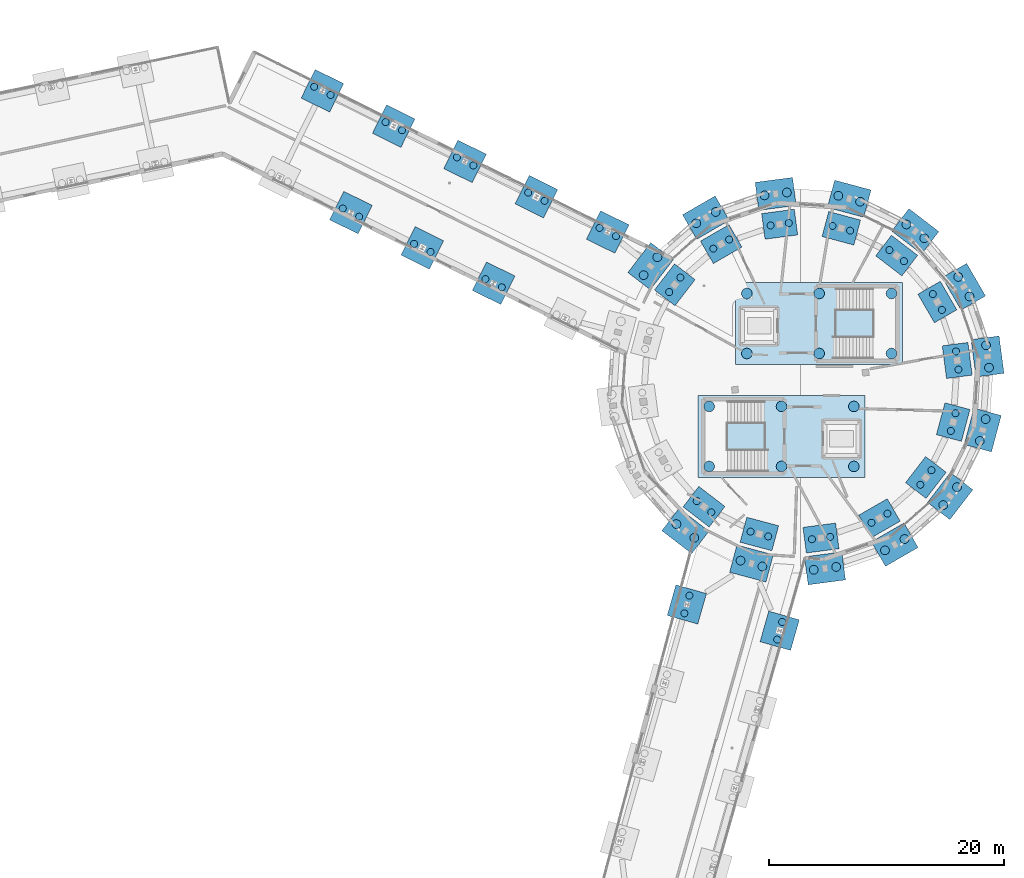
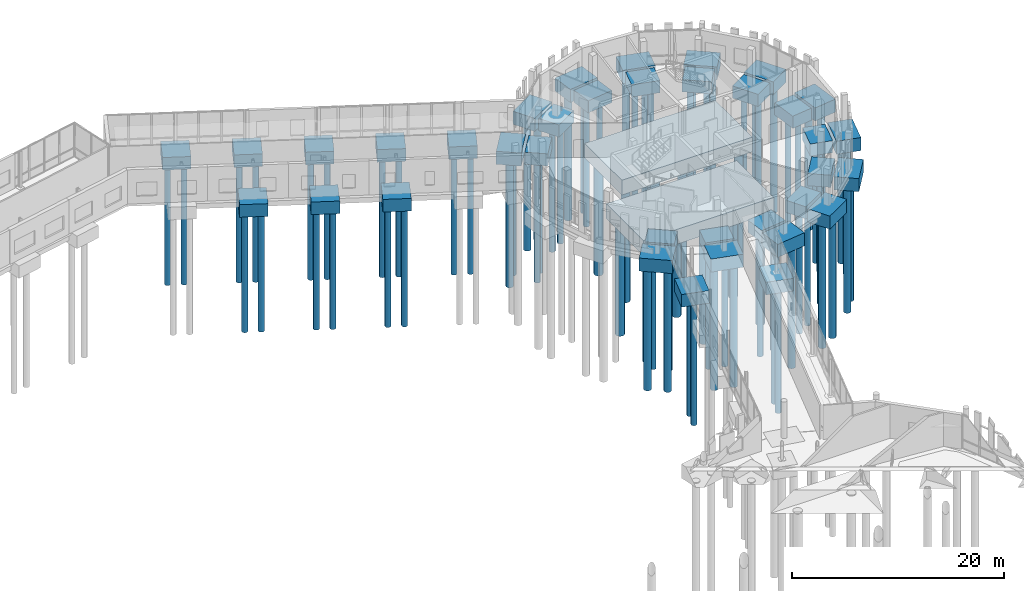
# One storey, part 4 of 113: 84 piles, 38 footings.
"""IFC4 building model written with IfcOpenShell, lengths in metres."""

from ifc_helpers import new_model, si_unit, direction, frame, origin, origin_2d, place, context, subcontext, project, spatial, rectangle, circle, extrude, material, material_profile, profile_set, type_object, element, save


model = new_model("IFC4")

# Units and contexts
model_context = context("Model", 3, precision=1e-05, world=origin(), true_north=direction((0.0, 1.0)))
body_context = subcontext(model_context, "Body", "Model", "MODEL_VIEW")
ifc_project = project(units=[si_unit("LENGTHUNIT", "METRE"), si_unit("AREAUNIT", "SQUARE_METRE"), si_unit("VOLUMEUNIT", "CUBIC_METRE"), si_unit("PLANEANGLEUNIT", "RADIAN"), si_unit("MASSUNIT", "GRAM", prefix="KILO")], contexts=[model_context])

# Site, building, storey
site_placement = place(None, origin())
site = spatial("IfcSite", under=ifc_project, at=site_placement, CompositionType="ELEMENT")
building_placement = place(site_placement, origin())
building = spatial("IfcBuilding", under=site, at=building_placement, Name="Wrenclough Park School", CompositionType="ELEMENT")
storey_placement = place(building_placement, origin())
storey = spatial("IfcBuildingStorey", under=building, at=storey_placement, Name="L00", CompositionType="ELEMENT", Elevation=0.0)

# Footings
ifc_material_1 = material(Name="Concrete C35/45", Category="concrete")
footing_type_1 = type_object("IfcFootingType", Name="STR-PC-03", PredefinedType="PILE_CAP", material=ifc_material_1)
for number, where, z_axis, x_axis, name in (
    (1, (164.85546875, 74.5185546875, -1.4501953125), (0.0, 0.0, 1.0), (0.272784025857, 0.962075296033, 0.0), "Column pile cap FTG-DRM-186"),
    (2, (172.744384765625, 72.281494140625, -1.4501953125), (0.0, 0.0, 1.0), (0.272784025857, 0.962075296033, 0.0), "Column pile cap FTG-DRM-187"),
    (3, (133.880859375, 118.1748046875, -1.4501953125), (0.0, 0.0, 1.0), (0.896254315973, -0.443540529265, 0.0), "Column pile cap FTG-DRM-194"),
    (4, (139.943359375, 115.1748046875, -1.4501953125), (0.0, 0.0, 1.0), (0.896254315973, -0.443540529265, 0.0), "Column pile cap FTG-DRM-196"),
    (5, (136.306640625, 107.8251953125, -1.4501953125), (0.0, 0.0, 1.0), (0.896254315973, -0.443540529265, 0.0), "Column pile cap FTG-DRM-197"),
    (6, (146.005859375, 112.1748046875, -1.4501953125), (0.0, 0.0, 1.0), (0.896254315973, -0.443540529265, 0.0), "Column pile cap FTG-DRM-198"),
    (7, (142.369140625, 104.8251953125, -1.4501953125), (0.0, 0.0, 1.0), (0.896254315973, -0.443540529265, 0.0), "Column pile cap FTG-DRM-199"),
    (8, (152.068359375, 109.1748046875, -1.4501953125), (0.0, 0.0, 1.0), (0.896254315973, -0.443540529265, 0.0), "Column pile cap FTG-DRM-200"),
    (9, (148.431640625, 101.8251953125, -1.4501953125), (0.0, 0.0, 1.0), (0.896254315973, -0.443540529265, 0.0), "Column pile cap FTG-DRM-201"),
    (10, (158.130859375, 106.1748046875, -1.4501953125), (0.0, 0.0, 1.0), (0.896254315973, -0.443540529265, 0.0), "Column pile cap FTG-DRM-202"),
):
    element("IfcFooting", number, at=place(storey_placement, frame(where, z_axis=z_axis, x_axis=x_axis)), inside=storey, type_object=footing_type_1, Name=name, PredefinedType="PILE_CAP", context=body_context, shape_type="SweptSolid", body=[
        extrude(rectangle(XDim=2.699951171875, YDim=2.699951171875, at=origin_2d()), origin(), (0.0, 0.0, 1.0), 1.449951171875),
    ])
footing_type_2 = type_object("IfcFootingType", Name="STR-PC-05", PredefinedType="PILE_CAP", material=ifc_material_1)
for number, where, z_axis, x_axis, name in (
    (11, (190.41259765625, 95.594970703125, -1.5), (0.0, 0.0, 1.0), (-0.13052619222, 0.991444861374, 0.0), "Column pile cap FTG-DRM-111"),
    (12, (188.399658203125, 101.52490234375, -1.5), (0.0, 0.0, 1.0), (-0.5, 0.866025403784, 0.0), "Column pile cap FTG-DRM-112"),
    (13, (184.2705078125, 106.2333984375, -1.5), (0.0, 0.0, 1.0), (-0.793353340291, 0.608761429009, 0.0), "Column pile cap FTG-DRM-113"),
    (14, (178.654052734375, 109.003173828125, -1.5), (0.0, 0.0, 1.0), (-0.965925826289, 0.258819045103, 0.0), "Column pile cap FTG-DRM-114"),
    (15, (172.405029296875, 109.41259765625, -1.5), (0.0, 0.0, 1.0), (-0.991444861374, -0.13052619222, 0.0), "Column pile cap FTG-DRM-115"),
    (16, (166.47509765625, 107.399658203125, -1.5), (0.0, 0.0, 1.0), (-0.866025403784, -0.5, 0.0), "Column pile cap FTG-DRM-116"),
    (17, (161.7666015625, 103.2705078125, -1.5), (0.0, 0.0, 1.0), (-0.608761429009, -0.793353340291, 0.0), "Column pile cap FTG-DRM-117"),
    (18, (164.7294921875, 80.7666015625, -1.5), (0.0, 0.0, 1.0), (0.793353340291, -0.608761429009, 0.0), "Column pile cap FTG-DRM-121"),
    (19, (170.345947265625, 77.996826171875, -1.5), (0.0, 0.0, 1.0), (0.965925826289, -0.258819045103, 0.0), "Column pile cap FTG-DRM-122"),
    (20, (176.594970703125, 77.58740234375, -1.5), (0.0, 0.0, 1.0), (0.991444861374, 0.13052619222, 0.0), "Column pile cap FTG-DRM-123"),
    (21, (182.52490234375, 79.600341796875, -1.5), (0.0, 0.0, 1.0), (0.866025403784, 0.5, 0.0), "Column pile cap FTG-DRM-124"),
    (22, (187.2333984375, 83.7294921875, -1.5), (0.0, 0.0, 1.0), (0.608761429009, 0.793353340291, 0.0), "Column pile cap FTG-DRM-125"),
    (23, (190.003173828125, 89.345947265625, -1.5), (0.0, 0.0, 1.0), (0.258819045103, 0.965925826289, 0.0), "Column pile cap FTG-DRM-126"),
):
    element("IfcFooting", number, at=place(storey_placement, frame(where, z_axis=z_axis, x_axis=x_axis)), inside=storey, type_object=footing_type_2, Name=name, PredefinedType="PILE_CAP", context=body_context, shape_type="SweptSolid", body=[
        extrude(rectangle(XDim=3.199951171875, YDim=2.39990234375, at=origin_2d()), origin(), (0.0, 0.0, 1.0), 1.5),
    ])
footing_type_3 = type_object("IfcFootingType", Name="STR-PC-09", PredefinedType="PILE_CAP", material=ifc_material_1)
for number, where, z_axis, x_axis, name in (
    (24, (187.8349609375, 95.255615234375, -1.39990234375), (0.0, 0.0, 1.0), (-0.13052619222, 0.991444861374, 0.0), "Column pile cap FTG-DRM-127"),
    (25, (186.14794921875, 100.22509765625, -1.39990234375), (0.0, 0.0, 1.0), (-0.5, 0.866025403784, 0.0), "Column pile cap FTG-DRM-128"),
    (26, (182.687744140625, 104.170654296875, -1.39990234375), (0.0, 0.0, 1.0), (-0.793353340291, 0.608761429009, 0.0), "Column pile cap FTG-DRM-129"),
    (27, (177.981201171875, 106.49169921875, -1.39990234375), (0.0, 0.0, 1.0), (-0.965925826289, 0.258819045103, 0.0), "Column pile cap FTG-DRM-130"),
    (28, (172.744384765625, 106.8349609375, -1.39990234375), (0.0, 0.0, 1.0), (-0.991444861374, -0.13052619222, 0.0), "Column pile cap FTG-DRM-131"),
    (29, (167.77490234375, 105.14794921875, -1.39990234375), (0.0, 0.0, 1.0), (-0.866025403784, -0.5, 0.0), "Column pile cap FTG-DRM-132"),
    (30, (163.829345703125, 101.687744140625, -1.39990234375), (0.0, 0.0, 1.0), (-0.608761429009, -0.793353340291, 0.0), "Column pile cap FTG-DRM-133"),
    (31, (166.312255859375, 82.829345703125, -1.39990234375), (0.0, 0.0, 1.0), (0.793353340291, -0.608761429009, 0.0), "Column pile cap FTG-DRM-137"),
    (32, (171.018798828125, 80.50830078125, -1.39990234375), (0.0, 0.0, 1.0), (0.965925826289, -0.258819045103, 0.0), "Column pile cap FTG-DRM-138"),
    (33, (176.255615234375, 80.1650390625, -1.39990234375), (0.0, 0.0, 1.0), (0.991444861374, 0.13052619222, 0.0), "Column pile cap FTG-DRM-139"),
    (34, (181.22509765625, 81.85205078125, -1.39990234375), (0.0, 0.0, 1.0), (0.866025403784, 0.5, 0.0), "Column pile cap FTG-DRM-140"),
    (35, (185.170654296875, 85.312255859375, -1.39990234375), (0.0, 0.0, 1.0), (0.608761429009, 0.793353340291, 0.0), "Column pile cap FTG-DRM-141"),
    (36, (187.49169921875, 90.018798828125, -1.39990234375), (0.0, 0.0, 1.0), (0.258819045103, 0.965925826289, 0.0), "Column pile cap FTG-DRM-142"),
):
    element("IfcFooting", number, at=place(storey_placement, frame(where, z_axis=z_axis, x_axis=x_axis)), inside=storey, type_object=footing_type_3, Name=name, PredefinedType="PILE_CAP", context=body_context, shape_type="SweptSolid", body=[
        extrude(rectangle(XDim=2.800048828125, YDim=2.199951171875, at=origin_2d()), origin(), (0.0, 0.0, 1.0), 1.39990234375),
    ])
ifc_material_2 = material(Name="Concrete C40/50", Category="concrete")
footing_type_4 = type_object("IfcFootingType", Name="STR-PC-CORE2", PredefinedType="PILE_CAP", material=ifc_material_2)
for number, where, z_axis, x_axis, name in (
    (37, (172.89990234375, 88.800048828125, -3.5), (0.0, 0.0, 1.0), (1.0, 0.0, 0.0), "Core C5 combined pile cap"),
    (38, (176.10009765625, 98.39990234375, -3.5), (0.0, 0.0, 1.0), (1.0, 0.0, 0.0), "Core C6 combined pile cap"),
):
    element("IfcFooting", number, at=place(storey_placement, frame(where, z_axis=z_axis, x_axis=x_axis)), inside=storey, type_object=footing_type_4, Name=name, PredefinedType="PILE_CAP", context=body_context, shape_type="SweptSolid", body=[
        extrude(rectangle(XDim=14.199951171875, YDim=7.0, at=origin_2d()), origin(), (0.0, 0.0, 1.0), 1.699951171875),
    ])

# Piles
ifc_material_profile_1 = material_profile(ifc_material_1, circle(Radius=0.300048828125, at=origin_2d()), Name="BORED PILE D600")
ifc_profile_set_1 = profile_set([ifc_material_profile_1], Name="Concrete C35/45")
pile_type_1 = type_object("IfcPileType", Name="STR-PILE-600", PredefinedType="BORED", material=ifc_profile_set_1)
for number, where, z_axis, x_axis, name in (
    (39, (187.936767578125, 94.482421875, -1.300048828125), (0.0, 0.0, -1.0), (1.0, 0.0, 0.0), "Rotary bored pile FTG-DRM-127-1"),
    (40, (187.733154296875, 96.02880859375, -1.300048828125), (0.0, 0.0, -1.0), (1.0, 0.0, 0.0), "Rotary bored pile FTG-DRM-127-2"),
    (41, (186.5380859375, 99.549560546875, -1.300048828125), (0.0, 0.0, -1.0), (1.0, 0.0, 0.0), "Rotary bored pile FTG-DRM-128-1"),
    (42, (185.758056640625, 100.900390625, -1.300048828125), (0.0, 0.0, -1.0), (1.0, 0.0, 0.0), "Rotary bored pile FTG-DRM-128-2"),
    (43, (183.306640625, 103.69580078125, -1.300048828125), (0.0, 0.0, -1.0), (1.0, 0.0, 0.0), "Rotary bored pile FTG-DRM-129-1"),
    (44, (182.069091796875, 104.6455078125, -1.300048828125), (0.0, 0.0, -1.0), (1.0, 0.0, 0.0), "Rotary bored pile FTG-DRM-129-2"),
    (45, (178.734619140625, 106.289794921875, -1.300048828125), (0.0, 0.0, -1.0), (1.0, 0.0, 0.0), "Rotary bored pile FTG-DRM-130-1"),
    (46, (177.227783203125, 106.693603515625, -1.300048828125), (0.0, 0.0, -1.0), (1.0, 0.0, 0.0), "Rotary bored pile FTG-DRM-130-2"),
    (47, (173.517578125, 106.936767578125, -1.300048828125), (0.0, 0.0, -1.0), (1.0, 0.0, 0.0), "Rotary bored pile FTG-DRM-131-1"),
    (48, (171.97119140625, 106.733154296875, -1.300048828125), (0.0, 0.0, -1.0), (1.0, 0.0, 0.0), "Rotary bored pile FTG-DRM-131-2"),
    (49, (168.450439453125, 105.5380859375, -1.300048828125), (0.0, 0.0, -1.0), (1.0, 0.0, 0.0), "Rotary bored pile FTG-DRM-132-1"),
    (50, (167.099609375, 104.758056640625, -1.300048828125), (0.0, 0.0, -1.0), (1.0, 0.0, 0.0), "Rotary bored pile FTG-DRM-132-2"),
    (51, (164.30419921875, 102.306640625, -1.300048828125), (0.0, 0.0, -1.0), (1.0, 0.0, 0.0), "Rotary bored pile FTG-DRM-133-1"),
    (52, (163.3544921875, 101.069091796875, -1.300048828125), (0.0, 0.0, -1.0), (1.0, 0.0, 0.0), "Rotary bored pile FTG-DRM-133-2"),
    (53, (165.693359375, 83.30419921875, -1.300048828125), (0.0, 0.0, -1.0), (1.0, 0.0, 0.0), "Rotary bored pile FTG-DRM-137-1"),
    (54, (166.930908203125, 82.3544921875, -1.300048828125), (0.0, 0.0, -1.0), (1.0, 0.0, 0.0), "Rotary bored pile FTG-DRM-137-2"),
    (55, (170.265380859375, 80.710205078125, -1.300048828125), (0.0, 0.0, -1.0), (1.0, 0.0, 0.0), "Rotary bored pile FTG-DRM-138-1"),
    (56, (171.772216796875, 80.306396484375, -1.300048828125), (0.0, 0.0, -1.0), (1.0, 0.0, 0.0), "Rotary bored pile FTG-DRM-138-2"),
    (57, (175.482421875, 80.063232421875, -1.300048828125), (0.0, 0.0, -1.0), (1.0, 0.0, 0.0), "Rotary bored pile FTG-DRM-139-1"),
    (58, (177.02880859375, 80.266845703125, -1.300048828125), (0.0, 0.0, -1.0), (1.0, 0.0, 0.0), "Rotary bored pile FTG-DRM-139-2"),
    (59, (180.549560546875, 81.4619140625, -1.300048828125), (0.0, 0.0, -1.0), (1.0, 0.0, 0.0), "Rotary bored pile FTG-DRM-140-1"),
    (60, (181.900390625, 82.241943359375, -1.300048828125), (0.0, 0.0, -1.0), (1.0, 0.0, 0.0), "Rotary bored pile FTG-DRM-140-2"),
    (61, (184.69580078125, 84.693359375, -1.300048828125), (0.0, 0.0, -1.0), (1.0, 0.0, 0.0), "Rotary bored pile FTG-DRM-141-1"),
    (62, (185.6455078125, 85.930908203125, -1.300048828125), (0.0, 0.0, -1.0), (1.0, 0.0, 0.0), "Rotary bored pile FTG-DRM-141-2"),
    (63, (187.289794921875, 89.265380859375, -1.300048828125), (0.0, 0.0, -1.0), (1.0, 0.0, 0.0), "Rotary bored pile FTG-DRM-142-1"),
    (64, (187.693603515625, 90.772216796875, -1.300048828125), (0.0, 0.0, -1.0), (1.0, 0.0, 0.0), "Rotary bored pile FTG-DRM-142-2"),
):
    element("IfcPile", number, at=place(storey_placement, frame(where, z_axis=z_axis, x_axis=x_axis)), inside=storey, type_object=pile_type_1, Name=name, PredefinedType="BORED", context=body_context, shape_type="SweptSolid", body=[
        extrude(circle(Radius=0.300048828125, at=origin_2d()), origin(), (0.0, 0.0, 1.0), 13.89990234375),
    ])
for number, where, z_axis, x_axis, name in (
    (65, (164.642578125, 73.768310546875, -1.35009765625), (0.0, 0.0, -1.0), (1.0, 0.0, 0.0), "Rotary bored pile FTG-DRM-186-1"),
    (66, (165.068359375, 75.26904296875, -1.35009765625), (0.0, 0.0, -1.0), (1.0, 0.0, 0.0), "Rotary bored pile FTG-DRM-186-2"),
    (67, (172.53173828125, 71.531005859375, -1.35009765625), (0.0, 0.0, -1.0), (1.0, 0.0, 0.0), "Rotary bored pile FTG-DRM-187-1"),
    (68, (172.957275390625, 73.03173828125, -1.35009765625), (0.0, 0.0, -1.0), (1.0, 0.0, 0.0), "Rotary bored pile FTG-DRM-187-2"),
    (69, (133.181884765625, 118.520751953125, -1.35009765625), (0.0, 0.0, -1.0), (1.0, 0.0, 0.0), "Rotary bored pile FTG-DRM-194-1"),
    (70, (134.580078125, 117.82861328125, -1.35009765625), (0.0, 0.0, -1.0), (1.0, 0.0, 0.0), "Rotary bored pile FTG-DRM-194-2"),
    (71, (139.244384765625, 115.520751953125, -1.35009765625), (0.0, 0.0, -1.0), (1.0, 0.0, 0.0), "Rotary bored pile FTG-DRM-196-1"),
    (72, (140.642578125, 114.82861328125, -1.35009765625), (0.0, 0.0, -1.0), (1.0, 0.0, 0.0), "Rotary bored pile FTG-DRM-196-2"),
    (73, (135.607421875, 108.17138671875, -1.35009765625), (0.0, 0.0, -1.0), (1.0, 0.0, 0.0), "Rotary bored pile FTG-DRM-197-1"),
    (74, (137.005615234375, 107.479248046875, -1.35009765625), (0.0, 0.0, -1.0), (1.0, 0.0, 0.0), "Rotary bored pile FTG-DRM-197-2"),
    (75, (145.306884765625, 112.520751953125, -1.35009765625), (0.0, 0.0, -1.0), (1.0, 0.0, 0.0), "Rotary bored pile FTG-DRM-198-1"),
    (76, (146.705078125, 111.82861328125, -1.35009765625), (0.0, 0.0, -1.0), (1.0, 0.0, 0.0), "Rotary bored pile FTG-DRM-198-2"),
    (77, (141.669921875, 105.17138671875, -1.35009765625), (0.0, 0.0, -1.0), (1.0, 0.0, 0.0), "Rotary bored pile FTG-DRM-199-1"),
    (78, (143.068115234375, 104.479248046875, -1.35009765625), (0.0, 0.0, -1.0), (1.0, 0.0, 0.0), "Rotary bored pile FTG-DRM-199-2"),
    (79, (151.369384765625, 109.520751953125, -1.35009765625), (0.0, 0.0, -1.0), (1.0, 0.0, 0.0), "Rotary bored pile FTG-DRM-200-1"),
    (80, (152.767578125, 108.82861328125, -1.35009765625), (0.0, 0.0, -1.0), (1.0, 0.0, 0.0), "Rotary bored pile FTG-DRM-200-2"),
    (81, (147.732421875, 102.17138671875, -1.35009765625), (0.0, 0.0, -1.0), (1.0, 0.0, 0.0), "Rotary bored pile FTG-DRM-201-1"),
    (82, (149.130615234375, 101.479248046875, -1.35009765625), (0.0, 0.0, -1.0), (1.0, 0.0, 0.0), "Rotary bored pile FTG-DRM-201-2"),
    (83, (157.431884765625, 106.520751953125, -1.35009765625), (0.0, 0.0, -1.0), (1.0, 0.0, 0.0), "Rotary bored pile FTG-DRM-202-1"),
    (84, (158.830078125, 105.82861328125, -1.35009765625), (0.0, 0.0, -1.0), (1.0, 0.0, 0.0), "Rotary bored pile FTG-DRM-202-2"),
):
    element("IfcPile", number, at=place(storey_placement, frame(where, z_axis=z_axis, x_axis=x_axis)), inside=storey, type_object=pile_type_1, Name=name, PredefinedType="BORED", context=body_context, shape_type="SweptSolid", body=[
        extrude(circle(Radius=0.300048828125, at=origin_2d()), origin(), (0.0, 0.0, 1.0), 14.14990234375),
    ])
ifc_material_profile_2 = material_profile(ifc_material_1, circle(Radius=0.375, at=origin_2d()), Name="BORED PILE D750")
ifc_profile_set_2 = profile_set([ifc_material_profile_2], Name="Concrete C35/45")
pile_type_2 = type_object("IfcPileType", Name="STR-PILE-750", PredefinedType="BORED", material=ifc_profile_set_2)
for number, where, z_axis, x_axis, name in (
    (85, (190.5380859375, 94.64306640625, -1.39990234375), (0.0, 0.0, -1.0), (1.0, 0.0, 0.0), "Rotary bored pile FTG-DRM-111-1"),
    (86, (190.287353515625, 96.546630859375, -1.39990234375), (0.0, 0.0, -1.0), (1.0, 0.0, 0.0), "Rotary bored pile FTG-DRM-111-2"),
    (87, (188.879638671875, 100.693603515625, -1.39990234375), (0.0, 0.0, -1.0), (1.0, 0.0, 0.0), "Rotary bored pile FTG-DRM-112-1"),
    (88, (187.919677734375, 102.3564453125, -1.39990234375), (0.0, 0.0, -1.0), (1.0, 0.0, 0.0), "Rotary bored pile FTG-DRM-112-2"),
    (89, (185.0322265625, 105.64892578125, -1.39990234375), (0.0, 0.0, -1.0), (1.0, 0.0, 0.0), "Rotary bored pile FTG-DRM-113-1"),
    (90, (183.509033203125, 106.817626953125, -1.39990234375), (0.0, 0.0, -1.0), (1.0, 0.0, 0.0), "Rotary bored pile FTG-DRM-113-2"),
    (91, (179.581298828125, 108.754638671875, -1.39990234375), (0.0, 0.0, -1.0), (1.0, 0.0, 0.0), "Rotary bored pile FTG-DRM-114-1"),
    (92, (177.726806640625, 109.251708984375, -1.39990234375), (0.0, 0.0, -1.0), (1.0, 0.0, 0.0), "Rotary bored pile FTG-DRM-114-2"),
    (93, (173.35693359375, 109.5380859375, -1.39990234375), (0.0, 0.0, -1.0), (1.0, 0.0, 0.0), "Rotary bored pile FTG-DRM-115-1"),
    (94, (171.453369140625, 109.287353515625, -1.39990234375), (0.0, 0.0, -1.0), (1.0, 0.0, 0.0), "Rotary bored pile FTG-DRM-115-2"),
    (95, (167.306396484375, 107.879638671875, -1.39990234375), (0.0, 0.0, -1.0), (1.0, 0.0, 0.0), "Rotary bored pile FTG-DRM-116-1"),
    (96, (165.6435546875, 106.919677734375, -1.39990234375), (0.0, 0.0, -1.0), (1.0, 0.0, 0.0), "Rotary bored pile FTG-DRM-116-2"),
    (97, (162.35107421875, 104.0322265625, -1.39990234375), (0.0, 0.0, -1.0), (1.0, 0.0, 0.0), "Rotary bored pile FTG-DRM-117-1"),
    (98, (161.182373046875, 102.509033203125, -1.39990234375), (0.0, 0.0, -1.0), (1.0, 0.0, 0.0), "Rotary bored pile FTG-DRM-117-2"),
    (99, (163.9677734375, 81.35107421875, -1.39990234375), (0.0, 0.0, -1.0), (1.0, 0.0, 0.0), "Rotary bored pile FTG-DRM-121-1"),
    (100, (165.490966796875, 80.182373046875, -1.39990234375), (0.0, 0.0, -1.0), (1.0, 0.0, 0.0), "Rotary bored pile FTG-DRM-121-2"),
    (101, (169.418701171875, 78.245361328125, -1.39990234375), (0.0, 0.0, -1.0), (1.0, 0.0, 0.0), "Rotary bored pile FTG-DRM-122-1"),
    (102, (171.273193359375, 77.748291015625, -1.39990234375), (0.0, 0.0, -1.0), (1.0, 0.0, 0.0), "Rotary bored pile FTG-DRM-122-2"),
    (103, (175.64306640625, 77.4619140625, -1.39990234375), (0.0, 0.0, -1.0), (1.0, 0.0, 0.0), "Rotary bored pile FTG-DRM-123-1"),
    (104, (177.546630859375, 77.712646484375, -1.39990234375), (0.0, 0.0, -1.0), (1.0, 0.0, 0.0), "Rotary bored pile FTG-DRM-123-2"),
    (105, (181.693603515625, 79.120361328125, -1.39990234375), (0.0, 0.0, -1.0), (1.0, 0.0, 0.0), "Rotary bored pile FTG-DRM-124-1"),
    (106, (183.3564453125, 80.080322265625, -1.39990234375), (0.0, 0.0, -1.0), (1.0, 0.0, 0.0), "Rotary bored pile FTG-DRM-124-2"),
    (107, (186.64892578125, 82.9677734375, -1.39990234375), (0.0, 0.0, -1.0), (1.0, 0.0, 0.0), "Rotary bored pile FTG-DRM-125-1"),
    (108, (187.817626953125, 84.490966796875, -1.39990234375), (0.0, 0.0, -1.0), (1.0, 0.0, 0.0), "Rotary bored pile FTG-DRM-125-2"),
    (109, (189.754638671875, 88.418701171875, -1.39990234375), (0.0, 0.0, -1.0), (1.0, 0.0, 0.0), "Rotary bored pile FTG-DRM-126-1"),
    (110, (190.251708984375, 90.273193359375, -1.39990234375), (0.0, 0.0, -1.0), (1.0, 0.0, 0.0), "Rotary bored pile FTG-DRM-126-2"),
):
    element("IfcPile", number, at=place(storey_placement, frame(where, z_axis=z_axis, x_axis=x_axis)), inside=storey, type_object=pile_type_2, Name=name, PredefinedType="BORED", context=body_context, shape_type="SweptSolid", body=[
        extrude(circle(Radius=0.375, at=origin_2d()), origin(), (0.0, 0.0, 1.0), 14.39990234375),
    ])
ifc_material_profile_3 = material_profile(ifc_material_1, circle(Radius=0.449951171875, at=origin_2d()), Name="BORED PILE D900")
ifc_profile_set_3 = profile_set([ifc_material_profile_3], Name="Concrete C35/45")
pile_type_3 = type_object("IfcPileType", Name="STR-PILE-900", PredefinedType="BORED", material=ifc_profile_set_3)
for number, where, z_axis, x_axis, name in (
    (111, (166.75, 86.25, -3.39990234375), (0.0, 0.0, -1.0), (1.0, 0.0, 0.0), "Core C5 rotary bored pile 1"),
    (112, (166.75, 91.35009765625, -3.39990234375), (0.0, 0.0, -1.0), (1.0, 0.0, 0.0), "Core C5 rotary bored pile 2"),
    (113, (172.89990234375, 86.25, -3.39990234375), (0.0, 0.0, -1.0), (1.0, 0.0, 0.0), "Core C5 rotary bored pile 3"),
    (114, (172.89990234375, 91.35009765625, -3.39990234375), (0.0, 0.0, -1.0), (1.0, 0.0, 0.0), "Core C5 rotary bored pile 4"),
    (115, (179.050048828125, 86.25, -3.39990234375), (0.0, 0.0, -1.0), (1.0, 0.0, 0.0), "Core C5 rotary bored pile 5"),
    (116, (179.050048828125, 91.35009765625, -3.39990234375), (0.0, 0.0, -1.0), (1.0, 0.0, 0.0), "Core C5 rotary bored pile 6"),
    (117, (169.949951171875, 95.85009765625, -3.39990234375), (0.0, 0.0, -1.0), (1.0, 0.0, 0.0), "Core C6 rotary bored pile 1"),
    (118, (169.949951171875, 100.949951171875, -3.39990234375), (0.0, 0.0, -1.0), (1.0, 0.0, 0.0), "Core C6 rotary bored pile 2"),
    (119, (176.10009765625, 95.85009765625, -3.39990234375), (0.0, 0.0, -1.0), (1.0, 0.0, 0.0), "Core C6 rotary bored pile 3"),
    (120, (176.10009765625, 100.949951171875, -3.39990234375), (0.0, 0.0, -1.0), (1.0, 0.0, 0.0), "Core C6 rotary bored pile 4"),
    (121, (182.25, 95.85009765625, -3.39990234375), (0.0, 0.0, -1.0), (1.0, 0.0, 0.0), "Core C6 rotary bored pile 5"),
    (122, (182.25, 100.949951171875, -3.39990234375), (0.0, 0.0, -1.0), (1.0, 0.0, 0.0), "Core C6 rotary bored pile 6"),
):
    element("IfcPile", number, at=place(storey_placement, frame(where, z_axis=z_axis, x_axis=x_axis)), inside=storey, type_object=pile_type_3, Name=name, PredefinedType="BORED", context=body_context, shape_type="SweptSolid", body=[
        extrude(circle(Radius=0.449951171875, at=origin_2d()), origin(), (0.0, 0.0, 1.0), 13.10009765625),
    ])

save(model, "model.ifc")
